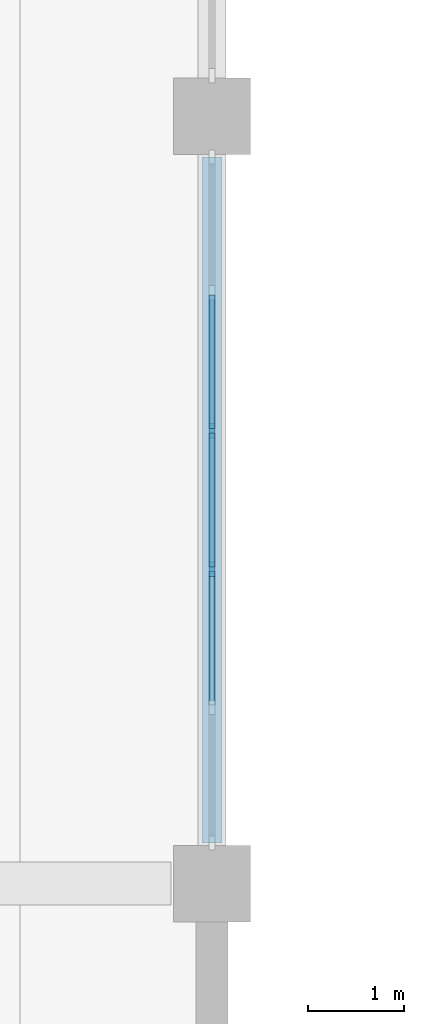
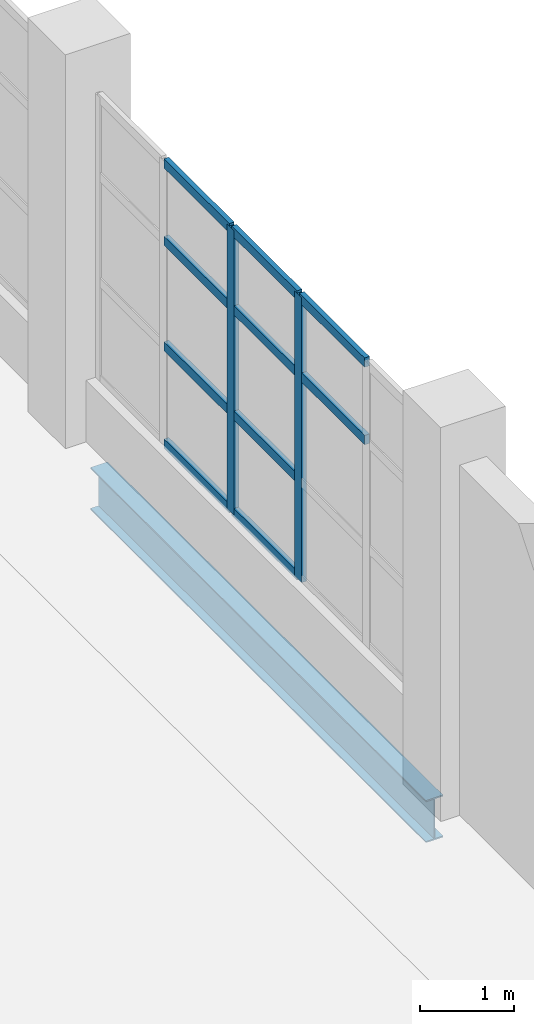
# One storey, part 25 of 103: 12 members, 1 beam, 1 element without a shape of its own.
"""IFC4 building model written with IfcOpenShell, lengths in metres."""

from ifc_helpers import new_model, si_unit, direction, frame, origin, origin_2d, place, context, subcontext, project, spatial, rectangle, i_section, extrude, material, layer, layer_set, material_profile, profile_set, type_object, element, aggregate, save


model = new_model("IFC4")

# Units and contexts
model_context = context("Model", 3, precision=1e-05, world=origin(), true_north=direction((0.0, 1.0)))
body_context = subcontext(model_context, "Body", "Model", "MODEL_VIEW")
ifc_project = project(units=[si_unit("LENGTHUNIT", "METRE"), si_unit("AREAUNIT", "SQUARE_METRE"), si_unit("VOLUMEUNIT", "CUBIC_METRE"), si_unit("PLANEANGLEUNIT", "RADIAN"), si_unit("MASSUNIT", "GRAM", prefix="KILO")], contexts=[model_context])

# Site, building, storey
site_placement = place(None, origin())
site = spatial("IfcSite", under=ifc_project, at=site_placement, CompositionType="ELEMENT")
building_placement = place(site_placement, origin())
building = spatial("IfcBuilding", under=site, at=building_placement, Name="Drelvana Railside Aquatics Centre", CompositionType="ELEMENT")
storey_placement = place(building_placement, origin())
storey = spatial("IfcBuildingStorey", under=building, at=storey_placement, Name="L00", CompositionType="ELEMENT", Elevation=0.0)

# Curtain wall, members
ifc_material_1 = material(Name="Bronze-anodised aluminium curtain wall", Category="aluminium")
ifc_layer = layer(ifc_material_1, 0.1650390625, Name="Bronze-anodised aluminium curtain wall")
ifc_layer_set = layer_set([ifc_layer], Name="Bronze-anodised aluminium curtain wall")
curtain_wall_type = type_object("IfcCurtainWallType", Name="CW-Z5-COURT", PredefinedType="NOTDEFINED", material=ifc_layer_set)
curtain_wall_placement = place(storey_placement, origin())
curtain_wall = element("IfcCurtainWall", 1, at=curtain_wall_placement, inside=storey, type_object=curtain_wall_type, Name="Curtain wall CW-05-070", PredefinedType="NOTDEFINED")
ifc_material_2 = material(Name="Bronze-anodised aluminium 6063-T6", Category="aluminium")
ifc_material_profile_1 = material_profile(ifc_material_2, rectangle(XDim=0.06005859375, YDim=0.14990234375, at=origin_2d()), Name="ALU-M 60x150")
ifc_profile_set_1 = profile_set([ifc_material_profile_1], Name="Bronze-anodised aluminium 6063-T6")
member_type_1 = type_object("IfcMemberType", Name="CW-Z5-COURT-MUL", PredefinedType="MULLION", material=ifc_profile_set_1)
member_1_placement = place(storey_placement, frame((96.0, 59.27880859375, 0.7939453125), z_axis=(0.0, 0.0, 1.0), x_axis=(-1.0, 0.0, 0.0)))
member_1 = element("IfcMember", 2, at=member_1_placement, type_object=member_type_1, Name="CW-05 mullion 3", PredefinedType="MULLION", context=body_context, shape_type="SweptSolid", body=[
    extrude(rectangle(XDim=0.06005859375, YDim=0.14990234375, at=origin_2d()), origin(), (0.0, 0.0, 1.0), 3.7060546875),
])
member_2_placement = place(storey_placement, frame((96.0, 60.72119140625, 0.7939453125), z_axis=(0.0, 0.0, 1.0), x_axis=(-1.0, 0.0, 0.0)))
member_2 = element("IfcMember", 3, at=member_2_placement, type_object=member_type_1, Name="CW-05 mullion 4", PredefinedType="MULLION", context=body_context, shape_type="SweptSolid", body=[
    extrude(rectangle(XDim=0.06005859375, YDim=0.14990234375, at=origin_2d()), origin(), (0.0, 0.0, 1.0), 3.7060546875),
])
ifc_material_profile_2 = material_profile(ifc_material_2, rectangle(XDim=0.1201171875, YDim=0.06005859375, at=origin_2d()), Name="ALU-T 60x120")
ifc_profile_set_2 = profile_set([ifc_material_profile_2], Name="Bronze-anodised aluminium 6063-T6")
member_type_2 = type_object("IfcMemberType", Name="CW-Z5-COURT-TRN", PredefinedType="USERDEFINED", material=ifc_profile_set_2)
member_3_placement = place(storey_placement, frame((96.0, 57.861328125, 3.4619140625), z_axis=(0.0, 1.0, 0.0), x_axis=(0.0, 0.0, 1.0)))
member_3 = element("IfcMember", 4, at=member_3_placement, type_object=member_type_2, Name="CW-05 transom 2.3", ObjectType="TRANSOM", PredefinedType="USERDEFINED", context=body_context, shape_type="SweptSolid", body=[
    extrude(rectangle(XDim=0.1201171875, YDim=0.06005859375, at=origin_2d()), origin(), (0.0, 0.0, 1.0), 1.392578125),
])
member_4_placement = place(storey_placement, frame((96.0, 57.861328125, 4.469970703125), z_axis=(0.0, 1.0, 0.0), x_axis=(0.0, 0.0, 1.0)))
member_4 = element("IfcMember", 5, at=member_4_placement, type_object=member_type_2, Name="CW-05 transom 2.4", ObjectType="TRANSOM", PredefinedType="USERDEFINED", context=body_context, shape_type="SweptSolid", body=[
    extrude(rectangle(XDim=0.1201171875, YDim=0.06005859375, at=origin_2d()), origin(), (0.0, 0.0, 1.0), 1.392578125),
])
member_5_placement = place(storey_placement, frame((96.0, 59.3037109375, 0.823974609375), z_axis=(0.0, 1.0, 0.0), x_axis=(0.0, 0.0, 1.0)))
member_5 = element("IfcMember", 6, at=member_5_placement, type_object=member_type_2, Name="CW-05 transom 3.1", ObjectType="TRANSOM", PredefinedType="USERDEFINED", context=body_context, shape_type="SweptSolid", body=[
    extrude(rectangle(XDim=0.1201171875, YDim=0.06005859375, at=origin_2d()), origin(), (0.0, 0.0, 1.0), 1.392578125),
])
member_6_placement = place(storey_placement, frame((96.0, 59.3037109375, 2.091064453125), z_axis=(0.0, 1.0, 0.0), x_axis=(0.0, 0.0, 1.0)))
member_6 = element("IfcMember", 7, at=member_6_placement, type_object=member_type_2, Name="CW-05 transom 3.2", ObjectType="TRANSOM", PredefinedType="USERDEFINED", context=body_context, shape_type="SweptSolid", body=[
    extrude(rectangle(XDim=0.1201171875, YDim=0.06005859375, at=origin_2d()), origin(), (0.0, 0.0, 1.0), 1.392578125),
])
member_7_placement = place(storey_placement, frame((96.0, 59.3037109375, 3.4619140625), z_axis=(0.0, 1.0, 0.0), x_axis=(0.0, 0.0, 1.0)))
member_7 = element("IfcMember", 8, at=member_7_placement, type_object=member_type_2, Name="CW-05 transom 3.3", ObjectType="TRANSOM", PredefinedType="USERDEFINED", context=body_context, shape_type="SweptSolid", body=[
    extrude(rectangle(XDim=0.1201171875, YDim=0.06005859375, at=origin_2d()), origin(), (0.0, 0.0, 1.0), 1.392578125),
])
member_8_placement = place(storey_placement, frame((96.0, 59.3037109375, 4.469970703125), z_axis=(0.0, 1.0, 0.0), x_axis=(0.0, 0.0, 1.0)))
member_8 = element("IfcMember", 9, at=member_8_placement, type_object=member_type_2, Name="CW-05 transom 3.4", ObjectType="TRANSOM", PredefinedType="USERDEFINED", context=body_context, shape_type="SweptSolid", body=[
    extrude(rectangle(XDim=0.1201171875, YDim=0.06005859375, at=origin_2d()), origin(), (0.0, 0.0, 1.0), 1.392578125),
])
member_9_placement = place(storey_placement, frame((96.0, 60.74609375, 0.823974609375), z_axis=(0.0, 1.0, 0.0), x_axis=(0.0, 0.0, 1.0)))
member_9 = element("IfcMember", 10, at=member_9_placement, type_object=member_type_2, Name="CW-05 transom 4.1", ObjectType="TRANSOM", PredefinedType="USERDEFINED", context=body_context, shape_type="SweptSolid", body=[
    extrude(rectangle(XDim=0.1201171875, YDim=0.06005859375, at=origin_2d()), origin(), (0.0, 0.0, 1.0), 1.392578125),
])
member_10_placement = place(storey_placement, frame((96.0, 60.74609375, 2.091064453125), z_axis=(0.0, 1.0, 0.0), x_axis=(0.0, 0.0, 1.0)))
member_10 = element("IfcMember", 11, at=member_10_placement, type_object=member_type_2, Name="CW-05 transom 4.2", ObjectType="TRANSOM", PredefinedType="USERDEFINED", context=body_context, shape_type="SweptSolid", body=[
    extrude(rectangle(XDim=0.1201171875, YDim=0.06005859375, at=origin_2d()), origin(), (0.0, 0.0, 1.0), 1.392578125),
])
member_11_placement = place(storey_placement, frame((96.0, 60.74609375, 3.4619140625), z_axis=(0.0, 1.0, 0.0), x_axis=(0.0, 0.0, 1.0)))
member_11 = element("IfcMember", 12, at=member_11_placement, type_object=member_type_2, Name="CW-05 transom 4.3", ObjectType="TRANSOM", PredefinedType="USERDEFINED", context=body_context, shape_type="SweptSolid", body=[
    extrude(rectangle(XDim=0.1201171875, YDim=0.06005859375, at=origin_2d()), origin(), (0.0, 0.0, 1.0), 1.392578125),
])
member_12_placement = place(storey_placement, frame((96.0, 60.74609375, 4.469970703125), z_axis=(0.0, 1.0, 0.0), x_axis=(0.0, 0.0, 1.0)))
member_12 = element("IfcMember", 13, at=member_12_placement, type_object=member_type_2, Name="CW-05 transom 4.4", ObjectType="TRANSOM", PredefinedType="USERDEFINED", context=body_context, shape_type="SweptSolid", body=[
    extrude(rectangle(XDim=0.1201171875, YDim=0.06005859375, at=origin_2d()), origin(), (0.0, 0.0, 1.0), 1.392578125),
])
aggregate(curtain_wall, [member_1, member_2, member_3, member_4, member_5, member_6, member_7, member_8, member_9, member_10, member_11, member_12])

# Beam
ifc_material_3 = material(Name="Structural steel S355", Category="steel")
ifc_material_profile_3 = material_profile(ifc_material_3, i_section(OverallWidth=0.2099609375, OverallDepth=0.550048828125, WebThickness=0.010986328125, FlangeThickness=0.01708984375, at=origin_2d()), Name="IPE 550")
ifc_profile_set_3 = profile_set([ifc_material_profile_3], Name="Structural steel S355")
beam_type = type_object("IfcBeamType", Name="STR-SBM-SB-04-IPE-550", PredefinedType="SPANDREL", material=ifc_profile_set_3)
beam_placement = place(storey_placement, frame((96.0, 56.425048828125, -0.60498046875), z_axis=(0.0, 1.0, 0.0), x_axis=(-1.0, 0.0, 0.0)))
element("IfcBeam", 14, at=beam_placement, inside=storey, type_object=beam_type, Name="Girder SB-04 (L00)", PredefinedType="SPANDREL", context=body_context, shape_type="SweptSolid", body=[
    extrude(i_section(OverallWidth=0.2099609375, OverallDepth=0.550048828125, WebThickness=0.010986328125, FlangeThickness=0.01708984375, at=origin_2d()), origin(), (0.0, 0.0, 1.0), 7.14990234375),
])

save(model, "model.ifc")
